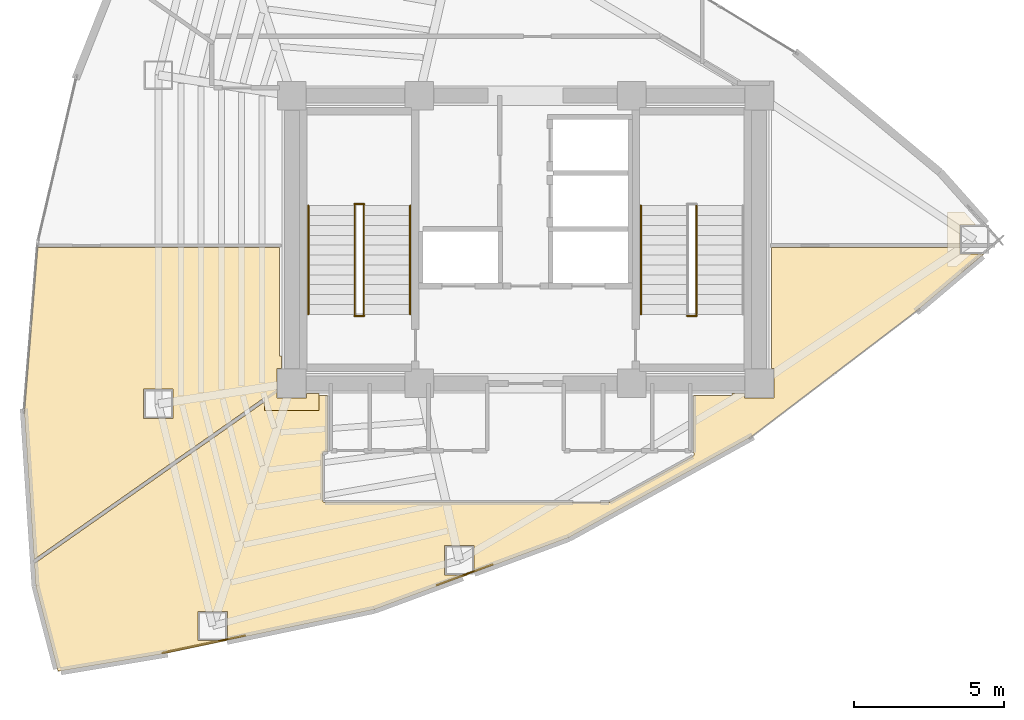
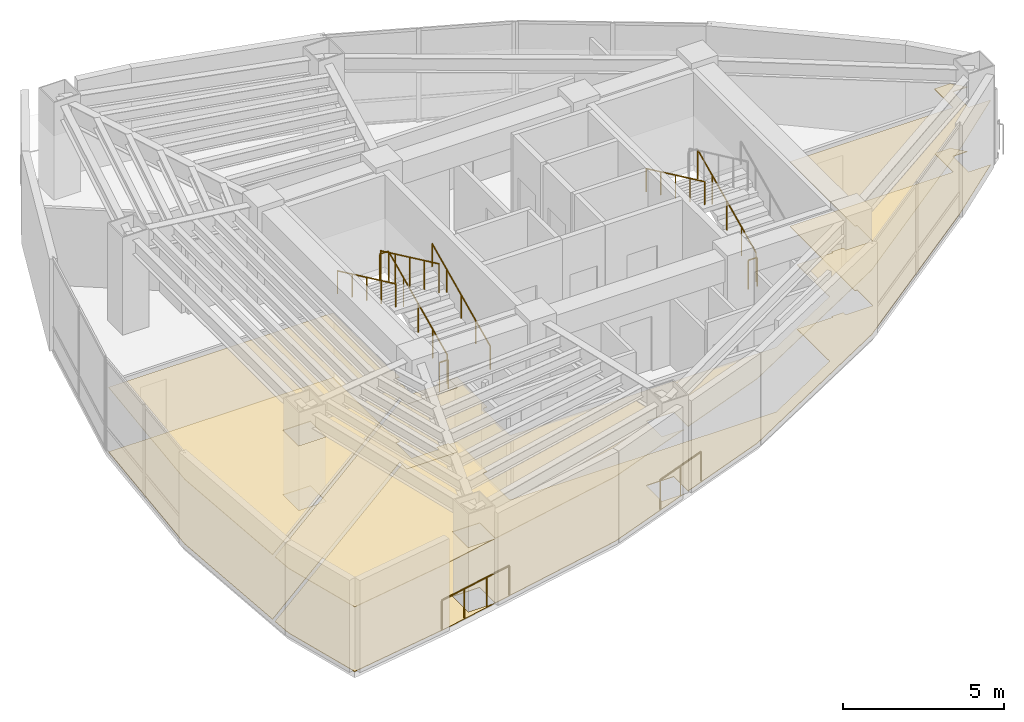
# One storey, part 14 of 15: 11 railings, 4 coverings.
"""IFC4 building model written with IfcOpenShell, lengths in metres."""

from ifc_helpers import new_model, si_unit, direction, frame, origin, origin_2d, place, context, subcontext, project, spatial, polyline, circle, outline, extrude, material, layer, layer_set, type_object, element, save


model = new_model("IFC4")

# Units and contexts
model_context = context("Model", 3, precision=1e-05, world=origin(), true_north=direction((0.0, 1.0)))
body_context = subcontext(model_context, "Body", "Model", "MODEL_VIEW")
ifc_project = project(units=[si_unit("LENGTHUNIT", "METRE"), si_unit("AREAUNIT", "SQUARE_METRE"), si_unit("VOLUMEUNIT", "CUBIC_METRE"), si_unit("PLANEANGLEUNIT", "RADIAN"), si_unit("MASSUNIT", "GRAM", prefix="KILO")], contexts=[model_context])

# Site, building, storey
site_placement = place(None, origin())
site = spatial("IfcSite", under=ifc_project, at=site_placement, CompositionType="ELEMENT")
building_placement = place(site_placement, origin())
building = spatial("IfcBuilding", under=site, at=building_placement, Name="Menara Vayukalpa", CompositionType="ELEMENT")
storey_placement = place(building_placement, frame((0.0, 0.0, 176.639892578125)))
storey = spatial("IfcBuildingStorey", under=building, at=storey_placement, Name="L44", CompositionType="ELEMENT", Elevation=176.639892578125)

# Coverings
ifc_material_1 = material(Name="Mineral Fibre Acoustic Ceiling Tile", Category="masonry")
ifc_layer_1 = layer(ifc_material_1, 0.02490234375)
ifc_layer_set_1 = layer_set([ifc_layer_1], Name="Mineral Fibre Acoustic Ceiling Tile")
covering_type_1 = type_object("IfcCoveringType", Name="COV-CLG1", PredefinedType="CEILING", material=ifc_layer_set_1)
covering_1_placement = place(storey_placement, frame((0.0, 0.0, 2.4501953125)))
element("IfcCovering", 1, at=covering_1_placement, inside=storey, type_object=covering_type_1, Name="L44 Executive Boardroom Acoustic Ceiling", PredefinedType="CEILING", context=body_context, shape_type="SweptSolid", body=[
    extrude(outline(polyline([(9.31494140625, 21.731689453125), (9.315185546875, 21.73291015625), (9.3154296875, 21.733642578125), (9.31591796875, 21.734619140625), (9.31640625, 21.735595703125), (9.31689453125, 21.736328125), (9.317626953125, 21.737060546875), (9.318359375, 21.73779296875), (9.319091796875, 21.73828125), (9.31982421875, 21.73876953125), (9.32080078125, 21.7392578125), (9.32177734375, 21.739501953125), (9.32275390625, 21.73974609375), (9.32373046875, 21.739990234375), (9.32470703125, 21.739990234375), (17.3798828125, 21.739990234375), (17.381103515625, 21.739990234375), (17.382080078125, 21.73974609375), (17.3828125, 21.739501953125), (17.3837890625, 21.7392578125), (17.384765625, 21.73876953125), (17.385498046875, 21.73828125), (17.38623046875, 21.73779296875), (17.38720703125, 21.737060546875), (17.3876953125, 21.736328125), (17.38818359375, 21.735595703125), (17.388916015625, 21.734619140625), (17.38916015625, 21.73388671875), (17.3896484375, 21.73291015625), (17.389892578125, 21.73193359375), (17.389892578125, 21.73095703125), (17.389892578125, 21.72998046875), (17.389892578125, 18.110107421875), (17.449951171875, 18.110107421875), (17.449951171875, 17.68994140625), (17.31005859375, 17.68994140625), (17.31005859375, 16.7099609375), (18.2900390625, 16.7099609375), (18.2900390625, 16.85009765625), (18.7099609375, 16.85009765625), (18.7099609375, 16.2900390625), (16.889892578125, 16.2900390625), (16.889892578125, 16.725830078125), (9.211181640625, 11.329833984375), (9.21044921875, 11.329345703125), (9.209716796875, 11.3291015625), (9.208740234375, 11.32861328125), (9.207763671875, 11.328369140625), (9.206787109375, 11.328125), (9.205810546875, 11.328125), (9.204833984375, 11.328125), (9.203857421875, 11.328125), (9.202880859375, 11.328369140625), (9.2021484375, 11.32861328125), (9.201171875, 11.3291015625), (9.2001953125, 11.32958984375), (9.199462890625, 11.330078125), (9.19873046875, 11.330810546875), (9.197998046875, 11.331298828125), (9.197509765625, 11.33203125), (9.197021484375, 11.3330078125), (9.196533203125, 11.333740234375), (9.196044921875, 11.334716796875), (9.19580078125, 11.33544921875), (9.195556640625, 11.33642578125), (9.195556640625, 11.33740234375), (8.871826171875, 16.236083984375), (8.871826171875, 16.23779296875), (9.314697265625, 21.730712890625), (9.31494140625, 21.731689453125)]), holes=[polyline([(13.833984375, 17.000732421875), (12.85400390625, 17.000732421875), (12.85400390625, 16.020751953125), (13.833984375, 16.020751953125), (13.833984375, 17.000732421875)])]), origin(), (0.0, 0.0, 1.0), 0.02490234375),
])
covering_2_placement = place(storey_placement, frame((0.0, 0.0, 2.4501953125)))
element("IfcCovering", 2, at=covering_2_placement, inside=storey, type_object=covering_type_1, Name="L44 Client Conference Room Acoustic Ceiling", PredefinedType="CEILING", context=body_context, shape_type="SweptSolid", body=[
    extrude(outline(polyline([(20.558349609375, 9.651611328125), (15.644775390625, 8.615478515625), (15.644775390625, 9.58740234375), (14.664794921875, 9.58740234375), (14.664794921875, 8.607421875), (15.605712890625, 8.607421875), (13.646728515625, 8.1943359375), (13.646240234375, 8.194091796875), (10.00390625, 7.586181640625), (10.0029296875, 7.586181640625), (10.001953125, 7.586181640625), (10.0009765625, 7.586181640625), (10.0, 7.58642578125), (9.9990234375, 7.586669921875), (9.998046875, 7.587158203125), (9.997314453125, 7.587646484375), (9.996337890625, 7.588134765625), (9.99560546875, 7.588623046875), (9.994873046875, 7.58935546875), (9.994140625, 7.590087890625), (9.99365234375, 7.591064453125), (9.9931640625, 7.591796875), (9.992919921875, 7.5927734375), (9.992431640625, 7.59375), (9.255859375, 10.42724609375), (9.255615234375, 10.427978515625), (9.255615234375, 10.428955078125), (9.206298828125, 11.17431640625), (9.206298828125, 11.17529296875), (9.206298828125, 11.17626953125), (9.20654296875, 11.17724609375), (9.206787109375, 11.177978515625), (9.20703125, 11.178955078125), (9.20751953125, 11.1796875), (9.2080078125, 11.1806640625), (9.20849609375, 11.181396484375), (9.209228515625, 11.18212890625), (9.2099609375, 11.182861328125), (9.210693359375, 11.183349609375), (9.211181640625, 11.18359375), (9.211181640625, 11.18359375), (9.216796875, 11.18701171875), (16.889892578125, 16.5791015625), (16.889892578125, 18.110107421875), (17.449951171875, 18.110107421875), (17.449951171875, 17.68994140625), (17.31005859375, 17.68994140625), (17.31005859375, 16.7099609375), (18.2900390625, 16.7099609375), (18.2900390625, 16.85009765625), (18.7099609375, 16.85009765625), (18.7099609375, 16.7900390625), (18.97998046875, 16.7900390625), (18.98095703125, 16.7900390625), (18.98193359375, 16.789794921875), (18.98291015625, 16.78955078125), (18.98388671875, 16.789306640625), (18.984619140625, 16.788818359375), (18.985595703125, 16.788330078125), (18.986328125, 16.78759765625), (18.987060546875, 16.787109375), (18.98779296875, 16.786376953125), (18.98828125, 16.78564453125), (18.98876953125, 16.78466796875), (18.9892578125, 16.78369140625), (18.989501953125, 16.782958984375), (18.98974609375, 16.781982421875), (18.989990234375, 16.781005859375), (18.989990234375, 16.780029296875), (18.989990234375, 14.929931640625), (18.989990234375, 14.928955078125), (18.98974609375, 14.927978515625), (18.989501953125, 14.927001953125), (18.9892578125, 14.92626953125), (18.98876953125, 14.92529296875), (18.98828125, 14.92431640625), (18.98779296875, 14.923583984375), (18.987060546875, 14.9228515625), (18.986328125, 14.92236328125), (18.985595703125, 14.921630859375), (18.984619140625, 14.921142578125), (18.98388671875, 14.9208984375), (18.98291015625, 14.92041015625), (18.98193359375, 14.920166015625), (18.98095703125, 14.919921875), (18.97998046875, 14.919921875), (18.900390625, 14.919921875), (18.893310546875, 14.919677734375), (18.88623046875, 14.918701171875), (18.879638671875, 14.9169921875), (18.873291015625, 14.914794921875), (18.866943359375, 14.911865234375), (18.861083984375, 14.908203125), (18.85546875, 14.904052734375), (18.8505859375, 14.8994140625), (18.845947265625, 14.89453125), (18.841796875, 14.888916015625), (18.838134765625, 14.883056640625), (18.835205078125, 14.876708984375), (18.8330078125, 14.870361328125), (18.831298828125, 14.86376953125), (18.830322265625, 14.856689453125), (18.830078125, 14.849609375), (18.830078125, 13.290283203125), (18.830322265625, 13.283203125), (18.831298828125, 13.2763671875), (18.8330078125, 13.269775390625), (18.835205078125, 13.26318359375), (18.838134765625, 13.257080078125), (18.841796875, 13.251220703125), (18.845947265625, 13.24560546875), (18.8505859375, 13.240478515625), (18.85546875, 13.236083984375), (18.861083984375, 13.231689453125), (18.866943359375, 13.228271484375), (18.873291015625, 13.225341796875), (18.879638671875, 13.222900390625), (18.88623046875, 13.22119140625), (18.893310546875, 13.220458984375), (18.900390625, 13.219970703125), (28.379150390625, 13.219970703125), (28.386474609375, 13.220458984375), (28.393310546875, 13.221435546875), (28.400146484375, 13.22314453125), (28.406982421875, 13.2255859375), (28.413330078125, 13.228759765625), (31.18359375, 14.75634765625), (31.189453125, 14.760009765625), (31.195068359375, 14.764404296875), (31.199951171875, 14.768798828125), (31.20458984375, 14.77392578125), (31.20849609375, 14.779296875), (31.2119140625, 14.785400390625), (31.21484375, 14.791259765625), (31.217041015625, 14.7978515625), (31.21875, 14.804443359375), (31.219482421875, 14.811279296875), (31.219970703125, 14.818115234375), (31.219970703125, 14.849609375), (31.219482421875, 14.856689453125), (31.21875, 14.86376953125), (31.217041015625, 14.870361328125), (31.214599609375, 14.876708984375), (31.2119140625, 14.8828125), (31.211669921875, 14.883056640625), (31.211181640625, 14.8837890625), (31.210693359375, 14.884765625), (31.21044921875, 14.8857421875), (31.210205078125, 14.88671875), (31.2099609375, 14.8876953125), (31.2099609375, 14.888671875), (31.2099609375, 16.780029296875), (31.2099609375, 16.781005859375), (31.210205078125, 16.781982421875), (31.21044921875, 16.782958984375), (31.210693359375, 16.78369140625), (31.211181640625, 16.78466796875), (31.211669921875, 16.78564453125), (31.21240234375, 16.786376953125), (31.212890625, 16.787109375), (31.213623046875, 16.78759765625), (31.21435546875, 16.788330078125), (31.21533203125, 16.788818359375), (31.21630859375, 16.789306640625), (31.217041015625, 16.78955078125), (31.218017578125, 16.789794921875), (31.218994140625, 16.7900390625), (31.219970703125, 16.7900390625), (32.489990234375, 16.7900390625), (32.489990234375, 16.85009765625), (32.909912109375, 16.85009765625), (32.909912109375, 16.7099609375), (33.889892578125, 16.7099609375), (33.889892578125, 17.68994140625), (33.81005859375, 17.68994140625), (33.81005859375, 21.72998046875), (33.81005859375, 21.73095703125), (33.810302734375, 21.73193359375), (33.810302734375, 21.73291015625), (33.810791015625, 21.73388671875), (33.811279296875, 21.734619140625), (33.811767578125, 21.735595703125), (33.812255859375, 21.736328125), (33.81298828125, 21.737060546875), (33.813720703125, 21.73779296875), (33.814453125, 21.73828125), (33.815185546875, 21.73876953125), (33.816162109375, 21.7392578125), (33.817138671875, 21.739501953125), (33.818115234375, 21.73974609375), (33.819091796875, 21.739990234375), (33.820068359375, 21.739990234375), (39.680419921875, 21.739990234375), (39.680419921875, 22.909912109375), (40.251953125, 22.909912109375), (40.62646484375, 22.489990234375), (40.1005859375, 22.489990234375), (40.1005859375, 21.510009765625), (40.89599609375, 21.510009765625), (38.715087890625, 19.6650390625), (38.71484375, 19.66455078125), (33.093505859375, 15.38720703125), (33.09228515625, 15.386474609375), (27.041748046875, 12.0498046875), (27.041015625, 12.04931640625), (27.040283203125, 12.049072265625), (23.87939453125, 10.8798828125), (23.87939453125, 11.781494140625), (22.8994140625, 11.781494140625), (22.8994140625, 10.801513671875), (23.66748046875, 10.801513671875), (20.559814453125, 9.652099609375), (20.558349609375, 9.651611328125)])), origin(), (0.0, 0.0, 1.0), 0.02490234375),
])
ifc_material_2 = material(Name="Porcelain Stoneware Floor Tile", Category="masonry")
ifc_layer_2 = layer(ifc_material_2, 0.02001953125)
ifc_layer_set_2 = layer_set([ifc_layer_2], Name="Porcelain Stoneware Floor Tile")
covering_type_2 = type_object("IfcCoveringType", Name="COV-FLR1", PredefinedType="FLOORING", material=ifc_layer_set_2)
covering_3_placement = place(storey_placement, origin())
element("IfcCovering", 3, at=covering_3_placement, inside=storey, type_object=covering_type_2, Name="L44 Executive Boardroom Porcelain Flooring", PredefinedType="FLOORING", context=body_context, shape_type="SweptSolid", body=[
    extrude(outline(polyline([(9.31494140625, 21.731689453125), (9.315185546875, 21.73291015625), (9.3154296875, 21.733642578125), (9.31591796875, 21.734619140625), (9.31640625, 21.735595703125), (9.31689453125, 21.736328125), (9.317626953125, 21.737060546875), (9.318359375, 21.73779296875), (9.319091796875, 21.73828125), (9.31982421875, 21.73876953125), (9.32080078125, 21.7392578125), (9.32177734375, 21.739501953125), (9.32275390625, 21.73974609375), (9.32373046875, 21.739990234375), (9.32470703125, 21.739990234375), (17.3798828125, 21.739990234375), (17.381103515625, 21.739990234375), (17.382080078125, 21.73974609375), (17.3828125, 21.739501953125), (17.3837890625, 21.7392578125), (17.384765625, 21.73876953125), (17.385498046875, 21.73828125), (17.38623046875, 21.73779296875), (17.38720703125, 21.737060546875), (17.3876953125, 21.736328125), (17.38818359375, 21.735595703125), (17.388916015625, 21.734619140625), (17.38916015625, 21.73388671875), (17.3896484375, 21.73291015625), (17.389892578125, 21.73193359375), (17.389892578125, 21.73095703125), (17.389892578125, 21.72998046875), (17.389892578125, 18.110107421875), (17.449951171875, 18.110107421875), (17.449951171875, 17.68994140625), (17.31005859375, 17.68994140625), (17.31005859375, 16.7099609375), (18.2900390625, 16.7099609375), (18.2900390625, 16.85009765625), (18.7099609375, 16.85009765625), (18.7099609375, 16.2900390625), (16.889892578125, 16.2900390625), (16.889892578125, 16.725830078125), (9.211181640625, 11.329833984375), (9.21044921875, 11.329345703125), (9.209716796875, 11.3291015625), (9.208740234375, 11.32861328125), (9.207763671875, 11.328369140625), (9.206787109375, 11.328125), (9.205810546875, 11.328125), (9.204833984375, 11.328125), (9.203857421875, 11.328125), (9.202880859375, 11.328369140625), (9.2021484375, 11.32861328125), (9.201171875, 11.3291015625), (9.2001953125, 11.32958984375), (9.199462890625, 11.330078125), (9.19873046875, 11.330810546875), (9.197998046875, 11.331298828125), (9.197509765625, 11.33203125), (9.197021484375, 11.3330078125), (9.196533203125, 11.333740234375), (9.196044921875, 11.334716796875), (9.19580078125, 11.33544921875), (9.195556640625, 11.33642578125), (9.195556640625, 11.33740234375), (8.871826171875, 16.236083984375), (8.871826171875, 16.23779296875), (9.314697265625, 21.730712890625), (9.31494140625, 21.731689453125)]), holes=[polyline([(13.833984375, 17.000732421875), (12.85400390625, 17.000732421875), (12.85400390625, 16.020751953125), (13.833984375, 16.020751953125), (13.833984375, 17.000732421875)])]), origin(), (0.0, 0.0, 1.0), 0.02001953125),
])
covering_4_placement = place(storey_placement, origin())
element("IfcCovering", 4, at=covering_4_placement, inside=storey, type_object=covering_type_2, Name="L44 Client Conference Room Porcelain Flooring", PredefinedType="FLOORING", context=body_context, shape_type="SweptSolid", body=[
    extrude(outline(polyline([(20.558349609375, 9.651611328125), (15.644775390625, 8.615478515625), (15.644775390625, 9.58740234375), (14.664794921875, 9.58740234375), (14.664794921875, 8.607421875), (15.605712890625, 8.607421875), (13.646728515625, 8.1943359375), (13.646240234375, 8.194091796875), (10.00390625, 7.586181640625), (10.0029296875, 7.586181640625), (10.001953125, 7.586181640625), (10.0009765625, 7.586181640625), (10.0, 7.58642578125), (9.9990234375, 7.586669921875), (9.998046875, 7.587158203125), (9.997314453125, 7.587646484375), (9.996337890625, 7.588134765625), (9.99560546875, 7.588623046875), (9.994873046875, 7.58935546875), (9.994140625, 7.590087890625), (9.99365234375, 7.591064453125), (9.9931640625, 7.591796875), (9.992919921875, 7.5927734375), (9.992431640625, 7.59375), (9.255859375, 10.42724609375), (9.255615234375, 10.427978515625), (9.255615234375, 10.428955078125), (9.206298828125, 11.17431640625), (9.206298828125, 11.17529296875), (9.206298828125, 11.17626953125), (9.20654296875, 11.17724609375), (9.206787109375, 11.177978515625), (9.20703125, 11.178955078125), (9.20751953125, 11.1796875), (9.2080078125, 11.1806640625), (9.20849609375, 11.181396484375), (9.209228515625, 11.18212890625), (9.2099609375, 11.182861328125), (9.210693359375, 11.183349609375), (9.211181640625, 11.18359375), (9.211181640625, 11.18359375), (9.216796875, 11.18701171875), (16.889892578125, 16.5791015625), (16.889892578125, 18.110107421875), (17.449951171875, 18.110107421875), (17.449951171875, 17.68994140625), (17.31005859375, 17.68994140625), (17.31005859375, 16.7099609375), (18.2900390625, 16.7099609375), (18.2900390625, 16.85009765625), (18.7099609375, 16.85009765625), (18.7099609375, 16.7900390625), (18.97998046875, 16.7900390625), (18.98095703125, 16.7900390625), (18.98193359375, 16.789794921875), (18.98291015625, 16.78955078125), (18.98388671875, 16.789306640625), (18.984619140625, 16.788818359375), (18.985595703125, 16.788330078125), (18.986328125, 16.78759765625), (18.987060546875, 16.787109375), (18.98779296875, 16.786376953125), (18.98828125, 16.78564453125), (18.98876953125, 16.78466796875), (18.9892578125, 16.78369140625), (18.989501953125, 16.782958984375), (18.98974609375, 16.781982421875), (18.989990234375, 16.781005859375), (18.989990234375, 16.780029296875), (18.989990234375, 14.929931640625), (18.989990234375, 14.928955078125), (18.98974609375, 14.927978515625), (18.989501953125, 14.927001953125), (18.9892578125, 14.92626953125), (18.98876953125, 14.92529296875), (18.98828125, 14.92431640625), (18.98779296875, 14.923583984375), (18.987060546875, 14.9228515625), (18.986328125, 14.92236328125), (18.985595703125, 14.921630859375), (18.984619140625, 14.921142578125), (18.98388671875, 14.9208984375), (18.98291015625, 14.92041015625), (18.98193359375, 14.920166015625), (18.98095703125, 14.919921875), (18.97998046875, 14.919921875), (18.900390625, 14.919921875), (18.893310546875, 14.919677734375), (18.88623046875, 14.918701171875), (18.879638671875, 14.9169921875), (18.873291015625, 14.914794921875), (18.866943359375, 14.911865234375), (18.861083984375, 14.908203125), (18.85546875, 14.904052734375), (18.8505859375, 14.8994140625), (18.845947265625, 14.89453125), (18.841796875, 14.888916015625), (18.838134765625, 14.883056640625), (18.835205078125, 14.876708984375), (18.8330078125, 14.870361328125), (18.831298828125, 14.86376953125), (18.830322265625, 14.856689453125), (18.830078125, 14.849609375), (18.830078125, 13.290283203125), (18.830322265625, 13.283203125), (18.831298828125, 13.2763671875), (18.8330078125, 13.269775390625), (18.835205078125, 13.26318359375), (18.838134765625, 13.257080078125), (18.841796875, 13.251220703125), (18.845947265625, 13.24560546875), (18.8505859375, 13.240478515625), (18.85546875, 13.236083984375), (18.861083984375, 13.231689453125), (18.866943359375, 13.228271484375), (18.873291015625, 13.225341796875), (18.879638671875, 13.222900390625), (18.88623046875, 13.22119140625), (18.893310546875, 13.220458984375), (18.900390625, 13.219970703125), (28.379150390625, 13.219970703125), (28.386474609375, 13.220458984375), (28.393310546875, 13.221435546875), (28.400146484375, 13.22314453125), (28.406982421875, 13.2255859375), (28.413330078125, 13.228759765625), (31.18359375, 14.75634765625), (31.189453125, 14.760009765625), (31.195068359375, 14.764404296875), (31.199951171875, 14.768798828125), (31.20458984375, 14.77392578125), (31.20849609375, 14.779296875), (31.2119140625, 14.785400390625), (31.21484375, 14.791259765625), (31.217041015625, 14.7978515625), (31.21875, 14.804443359375), (31.219482421875, 14.811279296875), (31.219970703125, 14.818115234375), (31.219970703125, 14.849609375), (31.219482421875, 14.856689453125), (31.21875, 14.86376953125), (31.217041015625, 14.870361328125), (31.214599609375, 14.876708984375), (31.2119140625, 14.8828125), (31.211669921875, 14.883056640625), (31.211181640625, 14.8837890625), (31.210693359375, 14.884765625), (31.21044921875, 14.8857421875), (31.210205078125, 14.88671875), (31.2099609375, 14.8876953125), (31.2099609375, 14.888671875), (31.2099609375, 16.780029296875), (31.2099609375, 16.781005859375), (31.210205078125, 16.781982421875), (31.21044921875, 16.782958984375), (31.210693359375, 16.78369140625), (31.211181640625, 16.78466796875), (31.211669921875, 16.78564453125), (31.21240234375, 16.786376953125), (31.212890625, 16.787109375), (31.213623046875, 16.78759765625), (31.21435546875, 16.788330078125), (31.21533203125, 16.788818359375), (31.21630859375, 16.789306640625), (31.217041015625, 16.78955078125), (31.218017578125, 16.789794921875), (31.218994140625, 16.7900390625), (31.219970703125, 16.7900390625), (32.489990234375, 16.7900390625), (32.489990234375, 16.85009765625), (32.909912109375, 16.85009765625), (32.909912109375, 16.7099609375), (33.889892578125, 16.7099609375), (33.889892578125, 17.68994140625), (33.81005859375, 17.68994140625), (33.81005859375, 21.72998046875), (33.81005859375, 21.73095703125), (33.810302734375, 21.73193359375), (33.810302734375, 21.73291015625), (33.810791015625, 21.73388671875), (33.811279296875, 21.734619140625), (33.811767578125, 21.735595703125), (33.812255859375, 21.736328125), (33.81298828125, 21.737060546875), (33.813720703125, 21.73779296875), (33.814453125, 21.73828125), (33.815185546875, 21.73876953125), (33.816162109375, 21.7392578125), (33.817138671875, 21.739501953125), (33.818115234375, 21.73974609375), (33.819091796875, 21.739990234375), (33.820068359375, 21.739990234375), (39.680419921875, 21.739990234375), (39.680419921875, 22.909912109375), (40.251953125, 22.909912109375), (40.62646484375, 22.489990234375), (40.1005859375, 22.489990234375), (40.1005859375, 21.510009765625), (40.89599609375, 21.510009765625), (38.715087890625, 19.6650390625), (38.71484375, 19.66455078125), (33.093505859375, 15.38720703125), (33.09228515625, 15.386474609375), (27.041748046875, 12.0498046875), (27.041015625, 12.04931640625), (27.040283203125, 12.049072265625), (23.87939453125, 10.8798828125), (23.87939453125, 11.781494140625), (22.8994140625, 11.781494140625), (22.8994140625, 10.801513671875), (23.66748046875, 10.801513671875), (20.559814453125, 9.652099609375), (20.558349609375, 9.651611328125)])), origin(), (0.0, 0.0, 1.0), 0.02001953125),
])

# Railings
ifc_material_3 = material(Name="Laminated Glass and Stainless Steel 316 Guardrail", Category="steel")
railing_type_1 = type_object("IfcRailingType", Name="RLG-EXT115", PredefinedType="GUARDRAIL", material=ifc_material_3)
railing_1_placement = place(storey_placement, frame((13.4814453125, 8.2001953125, 0.0)))
element("IfcRailing", 5, at=railing_1_placement, inside=storey, type_object=railing_type_1, Name="L44 Column Corner Spandrel Guardrail 15-1", PredefinedType="GUARDRAIL", context=body_context, shape_type="SweptSolid", body=[
    extrude(circle(Radius=0.02392578125, at=origin_2d()), frame((0.0, 0.0, 1.1259765625), z_axis=(0.978484458883, 0.206320536362, 0.0), x_axis=(-0.206320536362, 0.978484458883, 0.0)), (0.0, 0.0, 1.0), 2.8173828125),
    extrude(circle(Radius=0.02099609375, at=origin_2d()), origin(), (0.0, 0.0, 1.0), 1.101806640625),
    extrude(circle(Radius=0.02099609375, at=origin_2d()), frame((0.9189453125, 0.19384765625, 0.0)), (0.0, 0.0, 1.0), 1.101806640625),
    extrude(circle(Radius=0.02099609375, at=origin_2d()), frame((1.837890625, 0.387451171875, 0.0)), (0.0, 0.0, 1.0), 1.101806640625),
    extrude(circle(Radius=0.02099609375, at=origin_2d()), frame((2.7568359375, 0.581298828125, 0.0)), (0.0, 0.0, 1.0), 1.101806640625),
])
railing_2_placement = place(storey_placement, frame((22.63525390625, 10.46240234375, 0.0)))
element("IfcRailing", 6, at=railing_2_placement, inside=storey, type_object=railing_type_1, Name="L44 Column Corner Spandrel Guardrail 16-1", PredefinedType="GUARDRAIL", context=body_context, shape_type="SweptSolid", body=[
    extrude(circle(Radius=0.02392578125, at=origin_2d()), frame((0.0, 0.0, 1.1259765625), z_axis=(0.937887791782, 0.346938741028, 0.0), x_axis=(-0.346938741028, 0.937887791782, 0.0)), (0.0, 0.0, 1.0), 1.989990234375),
    extrude(circle(Radius=0.02099609375, at=origin_2d()), origin(), (0.0, 0.0, 1.0), 1.101806640625),
    extrude(circle(Radius=0.02099609375, at=origin_2d()), frame((0.93310546875, 0.34521484375, 0.0)), (0.0, 0.0, 1.0), 1.101806640625),
    extrude(circle(Radius=0.02099609375, at=origin_2d()), frame((1.866455078125, 0.6904296875, 0.0)), (0.0, 0.0, 1.0), 1.101806640625),
])
ifc_material_4 = material(Name="Powder-Coated Galvanised Steel Guardrail", Category="steel")
railing_type_2 = type_object("IfcRailingType", Name="RLG-STG110", PredefinedType="GUARDRAIL", material=ifc_material_4)
railing_3_placement = place(storey_placement, frame((20.199951171875, 19.5, 0.155029296875)))
element("IfcRailing", 7, at=railing_3_placement, inside=storey, type_object=railing_type_2, Name="L44 ST-1 stair guard 1", PredefinedType="GUARDRAIL", context=body_context, shape_type="SweptSolid", body=[
    extrude(circle(Radius=0.02392578125, at=origin_2d()), frame((0.0, 0.0, 1.09619140625), z_axis=(0.0, 0.90511648382, 0.425163675209), x_axis=(-1.0, 0.0, 0.0)), (0.0, 0.0, 1.0), 4.010498046875),
    extrude(circle(Radius=0.02099609375, at=origin_2d()), origin(), (0.0, 0.0, 1.0), 1.072021484375),
    extrude(circle(Radius=0.02099609375, at=origin_2d()), frame((0.0, 0.907470703125, 0.42626953125)), (0.0, 0.0, 1.0), 1.072021484375),
    extrude(circle(Radius=0.02099609375, at=origin_2d()), frame((0.0, 1.81494140625, 0.8525390625)), (0.0, 0.0, 1.0), 1.072021484375),
    extrude(circle(Radius=0.02099609375, at=origin_2d()), frame((0.0, 2.722412109375, 1.27880859375)), (0.0, 0.0, 1.0), 1.072021484375),
    extrude(circle(Radius=0.02099609375, at=origin_2d()), frame((0.0, 3.6298828125, 1.705078125)), (0.0, 0.0, 1.0), 1.072021484375),
])
railing_4_placement = place(storey_placement, frame((20.2099609375, 23.179931640625, 1.860107421875)))
element("IfcRailing", 8, at=railing_4_placement, inside=storey, type_object=railing_type_2, Name="L44 ST-1 stair guard 2", PredefinedType="GUARDRAIL", context=body_context, shape_type="SweptSolid", body=[
    extrude(circle(Radius=0.02392578125, at=origin_2d()), frame((0.0, 0.0, 1.09619140625), z_axis=(-1.0, 0.0, 0.0), x_axis=(0.0, -1.0, 0.0)), (0.0, 0.0, 1.0), 0.320068359375),
    extrude(circle(Radius=0.02099609375, at=origin_2d()), origin(), (0.0, 0.0, 1.0), 1.072021484375),
    extrude(circle(Radius=0.02099609375, at=origin_2d()), frame((-0.320068359375, 0.0, 0.0)), (0.0, 0.0, 1.0), 1.072021484375),
])
railing_5_placement = place(storey_placement, frame((19.89990234375, 23.1298828125, 2.01513671875)))
element("IfcRailing", 9, at=railing_5_placement, inside=storey, type_object=railing_type_2, Name="L44 ST-1 stair guard 3", PredefinedType="GUARDRAIL", context=body_context, shape_type="SweptSolid", body=[
    extrude(circle(Radius=0.02392578125, at=origin_2d()), frame((0.0, 0.0, 1.09619140625), z_axis=(0.0, -0.90511648382, 0.425163675209), x_axis=(1.0, 0.0, 0.0)), (0.0, 0.0, 1.0), 4.010498046875),
    extrude(circle(Radius=0.02099609375, at=origin_2d()), origin(), (0.0, 0.0, 1.0), 1.072021484375),
    extrude(circle(Radius=0.02099609375, at=origin_2d()), frame((0.0, -0.907470703125, 0.42626953125)), (0.0, 0.0, 1.0), 1.072021484375),
    extrude(circle(Radius=0.02099609375, at=origin_2d()), frame((0.0, -1.81494140625, 0.8525390625)), (0.0, 0.0, 1.0), 1.072021484375),
    extrude(circle(Radius=0.02099609375, at=origin_2d()), frame((0.0, -2.722412109375, 1.27880859375)), (0.0, 0.0, 1.0), 1.072021484375),
    extrude(circle(Radius=0.02099609375, at=origin_2d()), frame((0.0, -3.6298828125, 1.705078125)), (0.0, 0.0, 1.0), 1.072021484375),
])
railing_6_placement = place(storey_placement, frame((20.2099609375, 19.449951171875, 0.0)))
element("IfcRailing", 10, at=railing_6_placement, inside=storey, type_object=railing_type_2, Name="L44 ST-1 stair guard 4", PredefinedType="GUARDRAIL", context=body_context, shape_type="SweptSolid", body=[
    extrude(circle(Radius=0.02392578125, at=origin_2d()), frame((0.0, 0.0, 1.09619140625), z_axis=(-1.0, 0.0, 0.0), x_axis=(0.0, -1.0, 0.0)), (0.0, 0.0, 1.0), 0.320068359375),
    extrude(circle(Radius=0.02099609375, at=origin_2d()), origin(), (0.0, 0.0, 1.0), 1.072021484375),
    extrude(circle(Radius=0.02099609375, at=origin_2d()), frame((-0.320068359375, 0.0, 0.0)), (0.0, 0.0, 1.0), 1.072021484375),
])
railing_7_placement = place(storey_placement, frame((31.300048828125, 19.5, 0.155029296875)))
element("IfcRailing", 11, at=railing_7_placement, inside=storey, type_object=railing_type_2, Name="L44 ST-2 stair guard 1", PredefinedType="GUARDRAIL", context=body_context, shape_type="SweptSolid", body=[
    extrude(circle(Radius=0.02392578125, at=origin_2d()), frame((0.0, 0.0, 1.09619140625), z_axis=(0.0, 0.90511648382, 0.425163675209), x_axis=(-1.0, 0.0, 0.0)), (0.0, 0.0, 1.0), 4.010498046875),
    extrude(circle(Radius=0.02099609375, at=origin_2d()), origin(), (0.0, 0.0, 1.0), 1.072021484375),
    extrude(circle(Radius=0.02099609375, at=origin_2d()), frame((0.0, 0.907470703125, 0.42626953125)), (0.0, 0.0, 1.0), 1.072021484375),
    extrude(circle(Radius=0.02099609375, at=origin_2d()), frame((0.0, 1.81494140625, 0.8525390625)), (0.0, 0.0, 1.0), 1.072021484375),
    extrude(circle(Radius=0.02099609375, at=origin_2d()), frame((0.0, 2.722412109375, 1.27880859375)), (0.0, 0.0, 1.0), 1.072021484375),
    extrude(circle(Radius=0.02099609375, at=origin_2d()), frame((0.0, 3.6298828125, 1.705078125)), (0.0, 0.0, 1.0), 1.072021484375),
])
railing_8_placement = place(storey_placement, frame((31.31005859375, 19.449951171875, 0.0)))
element("IfcRailing", 12, at=railing_8_placement, inside=storey, type_object=railing_type_2, Name="L44 ST-2 stair guard 4", PredefinedType="GUARDRAIL", context=body_context, shape_type="SweptSolid", body=[
    extrude(circle(Radius=0.02392578125, at=origin_2d()), frame((0.0, 0.0, 1.09619140625), z_axis=(-1.0, 0.0, 0.0), x_axis=(0.0, -1.0, 0.0)), (0.0, 0.0, 1.0), 0.320068359375),
    extrude(circle(Radius=0.02099609375, at=origin_2d()), origin(), (0.0, 0.0, 1.0), 1.072021484375),
    extrude(circle(Radius=0.02099609375, at=origin_2d()), frame((-0.320068359375, 0.0, 0.0)), (0.0, 0.0, 1.0), 1.072021484375),
])
ifc_material_5 = material(Name="Stainless Steel 316 Tubular Handrail", Category="steel")
railing_type_3 = type_object("IfcRailingType", Name="RLG-STH090", PredefinedType="HANDRAIL", material=ifc_material_5)
railing_9_placement = place(storey_placement, frame((21.75, 19.5, 0.155029296875)))
element("IfcRailing", 13, at=railing_9_placement, inside=storey, type_object=railing_type_3, Name="L44 ST-1 stair handrail 1", PredefinedType="HANDRAIL", context=body_context, shape_type="SweptSolid", body=[
    extrude(circle(Radius=0.02392578125, at=origin_2d()), frame((0.0, 0.0, 0.8759765625), z_axis=(0.0, 0.90511648382, 0.425163675209), x_axis=(-1.0, 0.0, 0.0)), (0.0, 0.0, 1.0), 4.010498046875),
    extrude(circle(Radius=0.02099609375, at=origin_2d()), origin(), (0.0, 0.0, 1.0), 0.851806640625),
    extrude(circle(Radius=0.02099609375, at=origin_2d()), frame((0.0, 0.907470703125, 0.42626953125)), (0.0, 0.0, 1.0), 0.851806640625),
    extrude(circle(Radius=0.02099609375, at=origin_2d()), frame((0.0, 1.81494140625, 0.8525390625)), (0.0, 0.0, 1.0), 0.851806640625),
    extrude(circle(Radius=0.02099609375, at=origin_2d()), frame((0.0, 2.722412109375, 1.27880859375)), (0.0, 0.0, 1.0), 0.851806640625),
    extrude(circle(Radius=0.02099609375, at=origin_2d()), frame((0.0, 3.6298828125, 1.705078125)), (0.0, 0.0, 1.0), 0.851806640625),
])
for number, where, name in (
    (14, (18.35009765625, 23.1298828125, 2.01513671875), "L44 ST-1 stair handrail 2"),
    (15, (29.449951171875, 23.1298828125, 2.01513671875), "L44 ST-2 stair handrail 2"),
):
    element("IfcRailing", number, at=place(storey_placement, frame(where)), inside=storey, type_object=railing_type_3, Name=name, PredefinedType="HANDRAIL", context=body_context, shape_type="SweptSolid", body=[
        extrude(circle(Radius=0.02392578125, at=origin_2d()), frame((0.0, 0.0, 0.8759765625), z_axis=(0.0, -0.90511648382, 0.425163675209), x_axis=(1.0, 0.0, 0.0)), (0.0, 0.0, 1.0), 4.010498046875),
        extrude(circle(Radius=0.02099609375, at=origin_2d()), origin(), (0.0, 0.0, 1.0), 0.851806640625),
        extrude(circle(Radius=0.02099609375, at=origin_2d()), frame((0.0, -0.907470703125, 0.42626953125)), (0.0, 0.0, 1.0), 0.851806640625),
        extrude(circle(Radius=0.02099609375, at=origin_2d()), frame((0.0, -1.81494140625, 0.8525390625)), (0.0, 0.0, 1.0), 0.851806640625),
        extrude(circle(Radius=0.02099609375, at=origin_2d()), frame((0.0, -2.722412109375, 1.27880859375)), (0.0, 0.0, 1.0), 0.851806640625),
        extrude(circle(Radius=0.02099609375, at=origin_2d()), frame((0.0, -3.6298828125, 1.705078125)), (0.0, 0.0, 1.0), 0.851806640625),
    ])

save(model, "model.ifc")
